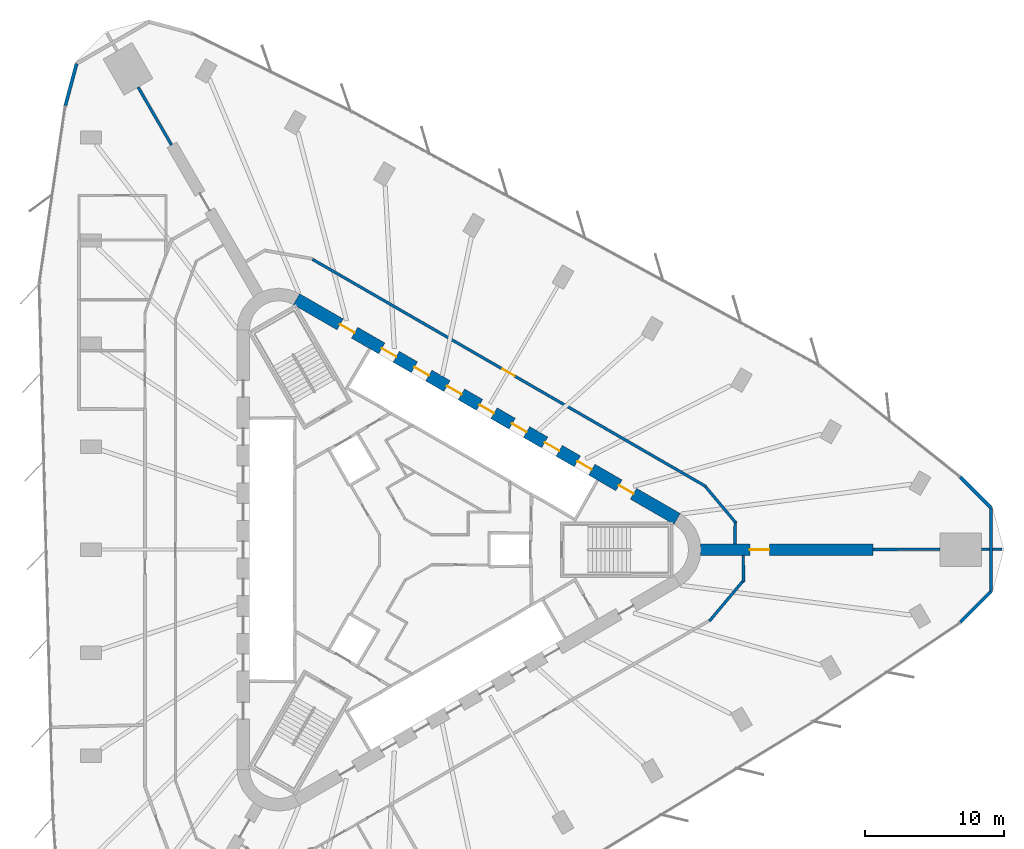
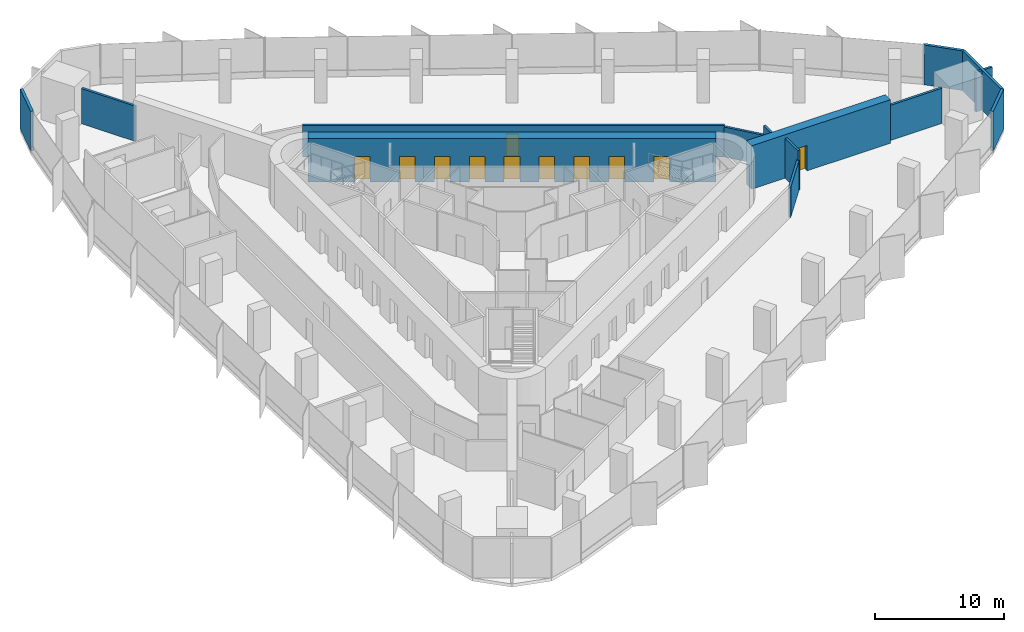
# One storey, part 12 of 14: 15 walls, 11 doors, 11 openings.
"""IFC4 building model written with IfcOpenShell, lengths in metres."""

from ifc_helpers import new_model, si_unit, direction, frame, frame_2d, origin, place, context, subcontext, project, spatial, rectangle, extrude, material, layer, layer_set, type_object, element, fill, save


model = new_model("IFC4")

# Units and contexts
model_context = context("Model", 3, precision=1e-05, world=origin(), true_north=direction((0.0, 1.0)))
body_context = subcontext(model_context, "Body", "Model", "MODEL_VIEW")
ifc_project = project(units=[si_unit("LENGTHUNIT", "METRE"), si_unit("AREAUNIT", "SQUARE_METRE"), si_unit("VOLUMEUNIT", "CUBIC_METRE"), si_unit("PLANEANGLEUNIT", "RADIAN"), si_unit("MASSUNIT", "GRAM", prefix="KILO")], contexts=[model_context])

# Site, building, storey
site_placement = place(None, origin())
site = spatial("IfcSite", under=ifc_project, at=site_placement, CompositionType="ELEMENT")
building_placement = place(site_placement, origin())
building = spatial("IfcBuilding", under=site, at=building_placement, Name="Tanit Gate Tower", CompositionType="ELEMENT")
storey_placement = place(building_placement, frame((0.0, 0.0, 152.10009765625)))
storey = spatial("IfcBuildingStorey", under=building, at=storey_placement, Name="L33", CompositionType="ELEMENT", Elevation=152.10009765625)

# Wall, opening, door
ifc_material_1 = material(Name="Concrete C60/75", Category="concrete")
ifc_layer_1 = layer(ifc_material_1, 0.800048828125)
ifc_layer_set_1 = layer_set([ifc_layer_1], Name="BUTTRESS FIN 800 C60/75")
wall_type_1 = type_object("IfcWallType", Name="BUTTRESS FIN 800 C60/75", PredefinedType="SHEAR", material=ifc_layer_set_1)
wall_1_placement = place(storey_placement, frame((21.14990234375, 0.0, 0.0), z_axis=(0.0, 0.0, 1.0), x_axis=(1.0, 0.0, 0.0)))
wall_1 = element("IfcWall", 1, at=wall_1_placement, inside=storey, type_object=wall_type_1, Name="BUTTRESS FIN", PredefinedType="SHEAR", context=body_context, shape_type="SweptSolid", body=[
    extrude(rectangle(XDim=12.3837890625, YDim=0.800048828125, at=frame_2d((6.19189453125, 0.0))), origin(), (0.0, 0.0, 1.0), 4.099853515625),
])
opening_1_placement = place(wall_1_placement, frame((3.550048828125, 0.0, 0.0)))
opening_1 = element("IfcOpeningElement", 2, at=opening_1_placement, cuts=wall_1, Name="Opening P14-S08-F-E-1", PredefinedType="OPENING", context=body_context, shape_type="SweptSolid", body=[
    extrude(rectangle(XDim=1.39990234375, YDim=2.39990234375, at=frame_2d((0.699951171875, 1.199951171875))), frame((0.0, 0.41015625, 0.0), z_axis=(0.0, -1.0, 0.0), x_axis=(1.0, 0.0, 0.0)), (0.0, 0.0, 1.0), 0.820068359375),
])
ifc_material_2 = material(Name="Timber door leaf", Category="wood")
door_type_1 = type_object("IfcDoorType", Name="INT-DOOR-FIN-PAIR-1400", OperationType="NOTDEFINED", PredefinedType="NOTDEFINED", material=ifc_material_2)
door_1_placement = place(opening_1_placement, origin())
door_1 = element("IfcDoor", 3, at=door_1_placement, inside=storey, type_object=door_type_1, Name="Door P14-S08-F-E-1", OperationType="DOUBLE_DOOR_SINGLE_SWING", OverallHeight=2.39990234375, OverallWidth=1.39990234375, PredefinedType="NOTDEFINED", context=body_context, shape_type="SweptSolid", body=[
    extrude(rectangle(XDim=1.39990234375, YDim=2.39990234375, at=frame_2d((0.699951171875, 1.199951171875))), frame((0.0, 0.02490234375, 0.0), z_axis=(0.0, -1.0, 0.0), x_axis=(1.0, 0.0, 0.0)), (0.0, 0.0, 1.0), 0.050048828125),
])
fill(opening_1, door_1)

# Wall, openings, doors
ifc_material_3 = material(Name="Concrete C60/75", Category="concrete")
ifc_layer_2 = layer(ifc_material_3, 0.89990234375)
ifc_layer_set_2 = layer_set([ifc_layer_2], Name="CORE WALL 900 C60/75")
wall_type_2 = type_object("IfcWallType", Name="CORE WALL 900 C60/75", PredefinedType="SHEAR", material=ifc_layer_set_2)
wall_2_placement = place(storey_placement, frame((19.47509765625, 2.20849609375, 0.0), z_axis=(0.0, 0.0, 1.0), x_axis=(-0.866028369851, 0.499994862586, 0.0)))
wall_2 = element("IfcWall", 4, at=wall_2_placement, inside=storey, type_object=wall_type_2, Name="CORE WALL", PredefinedType="SHEAR", context=body_context, shape_type="SweptSolid", body=[
    extrude(rectangle(XDim=31.523193359375, YDim=0.89990234375, at=frame_2d((15.76171875, 0.0))), origin(), (0.0, 0.0, 1.0), 4.099853515625),
])
opening_2_placement = place(wall_2_placement, frame((7.0615234375, 0.0, 0.0)))
opening_2 = element("IfcOpeningElement", 5, at=opening_2_placement, cuts=wall_2, Name="Opening LDLL8-S08", PredefinedType="OPENING", context=body_context, shape_type="SweptSolid", body=[
    extrude(rectangle(XDim=1.199951171875, YDim=2.39990234375, at=frame_2d((0.60009765625, 1.199951171875))), frame((0.0, 0.4599609375, 0.0), z_axis=(0.0, -1.0, 0.0), x_axis=(1.0, 0.0, 0.0)), (0.0, 0.0, 1.0), 0.919921875),
])
opening_3_placement = place(wall_2_placement, frame((9.76171875, 0.0, 0.0)))
opening_3 = element("IfcOpeningElement", 6, at=opening_3_placement, cuts=wall_2, Name="Opening LDLL9-S08", PredefinedType="OPENING", context=body_context, shape_type="SweptSolid", body=[
    extrude(rectangle(XDim=1.199951171875, YDim=2.39990234375, at=frame_2d((0.60009765625, 1.199951171875))), frame((0.0, 0.4599609375, 0.0), z_axis=(0.0, -1.0, 0.0), x_axis=(1.0, 0.0, 0.0)), (0.0, 0.0, 1.0), 0.919921875),
])
opening_4_placement = place(wall_2_placement, frame((12.461669921875, 0.0, 0.0)))
opening_4 = element("IfcOpeningElement", 7, at=opening_4_placement, cuts=wall_2, Name="Opening LDLL10-S08", PredefinedType="OPENING", context=body_context, shape_type="SweptSolid", body=[
    extrude(rectangle(XDim=1.199951171875, YDim=2.39990234375, at=frame_2d((0.60009765625, 1.199951171875))), frame((0.0, 0.4599609375, 0.0), z_axis=(0.0, -1.0, 0.0), x_axis=(1.0, 0.0, 0.0)), (0.0, 0.0, 1.0), 0.919921875),
])
opening_5_placement = place(wall_2_placement, frame((15.16162109375, 0.0, 0.0)))
opening_5 = element("IfcOpeningElement", 8, at=opening_5_placement, cuts=wall_2, Name="Opening LDSL1-S08", PredefinedType="OPENING", context=body_context, shape_type="SweptSolid", body=[
    extrude(rectangle(XDim=1.199951171875, YDim=2.39990234375, at=frame_2d((0.60009765625, 1.199951171875))), frame((0.0, 0.4599609375, 0.0), z_axis=(0.0, -1.0, 0.0), x_axis=(1.0, 0.0, 0.0)), (0.0, 0.0, 1.0), 0.919921875),
])
opening_6_placement = place(wall_2_placement, frame((17.861572265625, 0.0, 0.0)))
opening_6 = element("IfcOpeningElement", 9, at=opening_6_placement, cuts=wall_2, Name="Opening LDSL2-S08", PredefinedType="OPENING", context=body_context, shape_type="SweptSolid", body=[
    extrude(rectangle(XDim=1.199951171875, YDim=2.39990234375, at=frame_2d((0.60009765625, 1.199951171875))), frame((0.0, 0.4599609375, 0.0), z_axis=(0.0, -1.0, 0.0), x_axis=(1.0, 0.0, 0.0)), (0.0, 0.0, 1.0), 0.919921875),
])
opening_7_placement = place(wall_2_placement, frame((20.5615234375, 0.0, 0.0)))
opening_7 = element("IfcOpeningElement", 10, at=opening_7_placement, cuts=wall_2, Name="Opening LDSL3-S08", PredefinedType="OPENING", context=body_context, shape_type="SweptSolid", body=[
    extrude(rectangle(XDim=1.199951171875, YDim=2.39990234375, at=frame_2d((0.60009765625, 1.199951171875))), frame((0.0, 0.4599609375, 0.0), z_axis=(0.0, -1.0, 0.0), x_axis=(1.0, 0.0, 0.0)), (0.0, 0.0, 1.0), 0.919921875),
])
opening_8_placement = place(wall_2_placement, frame((23.26171875, 0.0, 0.0)))
opening_8 = element("IfcOpeningElement", 11, at=opening_8_placement, cuts=wall_2, Name="Opening LDSL4-S08", PredefinedType="OPENING", context=body_context, shape_type="SweptSolid", body=[
    extrude(rectangle(XDim=1.199951171875, YDim=2.39990234375, at=frame_2d((0.60009765625, 1.199951171875))), frame((0.0, 0.4599609375, 0.0), z_axis=(0.0, -1.0, 0.0), x_axis=(1.0, 0.0, 0.0)), (0.0, 0.0, 1.0), 0.919921875),
])
opening_9_placement = place(wall_2_placement, frame((3.611572265625, 0.0, 0.0)))
opening_9 = element("IfcOpeningElement", 12, at=opening_9_placement, cuts=wall_2, Name="Opening F12-S08-FL1", PredefinedType="OPENING", context=body_context, shape_type="SweptSolid", body=[
    extrude(rectangle(XDim=1.199951171875, YDim=2.39990234375, at=frame_2d((0.60009765625, 1.199951171875))), frame((0.0, 0.4599609375, 0.0), z_axis=(0.0, -1.0, 0.0), x_axis=(1.0, 0.0, 0.0)), (0.0, 0.0, 1.0), 0.919921875),
])
opening_10_placement = place(wall_2_placement, frame((26.711669921875, 0.0, 0.0)))
opening_10 = element("IfcOpeningElement", 13, at=opening_10_placement, cuts=wall_2, Name="Opening F12-S08-S2", PredefinedType="OPENING", context=body_context, shape_type="SweptSolid", body=[
    extrude(rectangle(XDim=1.199951171875, YDim=2.39990234375, at=frame_2d((0.60009765625, 1.199951171875))), frame((0.0, 0.4599609375, 0.0), z_axis=(0.0, -1.0, 0.0), x_axis=(1.0, 0.0, 0.0)), (0.0, 0.0, 1.0), 0.919921875),
])
ifc_material_4 = material(Name="Fire-rated steel door leaf", Category="steel")
door_type_2 = type_object("IfcDoorType", Name="INT-DOOR-FIRE-LOBBY-1200", OperationType="NOTDEFINED", PredefinedType="USERDEFINED", material=ifc_material_4)
door_2_placement = place(opening_9_placement, origin())
door_2 = element("IfcDoor", 14, at=door_2_placement, inside=storey, type_object=door_type_2, Name="Door F12-S08-FL1", ObjectType="FIRE DOOR", OperationType="SINGLE_SWING_LEFT", OverallHeight=2.39990234375, OverallWidth=1.199951171875, PredefinedType="USERDEFINED", context=body_context, shape_type="SweptSolid", body=[
    extrude(rectangle(XDim=1.199951171875, YDim=2.39990234375, at=frame_2d((0.60009765625, 1.199951171875))), frame((0.0, 0.02490234375, 0.0), z_axis=(0.0, -1.0, 0.0), x_axis=(1.0, 0.0, 0.0)), (0.0, 0.0, 1.0), 0.050048828125),
])
fill(opening_9, door_2)
door_3_placement = place(opening_10_placement, origin())
door_3 = element("IfcDoor", 15, at=door_3_placement, inside=storey, type_object=door_type_2, Name="Door F12-S08-S2", ObjectType="FIRE DOOR", OperationType="SINGLE_SWING_RIGHT", OverallHeight=2.39990234375, OverallWidth=1.199951171875, PredefinedType="USERDEFINED", context=body_context, shape_type="SweptSolid", body=[
    extrude(rectangle(XDim=1.199951171875, YDim=2.39990234375, at=frame_2d((0.60009765625, 1.199951171875))), frame((0.0, 0.02490234375, 0.0), z_axis=(0.0, -1.0, 0.0), x_axis=(1.0, 0.0, 0.0)), (0.0, 0.0, 1.0), 0.050048828125),
])
fill(opening_10, door_3)
ifc_material_5 = material(Name="Stainless steel sliding door leaf", Category="steel")
door_type_3 = type_object("IfcDoorType", Name="INT-DOOR-LANDING-1200", OperationType="NOTDEFINED", PredefinedType="USERDEFINED", material=ifc_material_5)
door_4_placement = place(opening_2_placement, origin())
door_4 = element("IfcDoor", 16, at=door_4_placement, inside=storey, type_object=door_type_3, Name="Door LDLL8-S08", ObjectType="LANDING DOOR", OperationType="SLIDING_TO_LEFT", OverallHeight=2.39990234375, OverallWidth=1.199951171875, PredefinedType="USERDEFINED", context=body_context, shape_type="SweptSolid", body=[
    extrude(rectangle(XDim=1.199951171875, YDim=2.39990234375, at=frame_2d((0.60009765625, 1.199951171875))), frame((0.0, 0.02490234375, 0.0), z_axis=(0.0, -1.0, 0.0), x_axis=(1.0, 0.0, 0.0)), (0.0, 0.0, 1.0), 0.050048828125),
])
fill(opening_2, door_4)
door_5_placement = place(opening_3_placement, origin())
door_5 = element("IfcDoor", 17, at=door_5_placement, inside=storey, type_object=door_type_3, Name="Door LDLL9-S08", ObjectType="LANDING DOOR", OperationType="SLIDING_TO_LEFT", OverallHeight=2.39990234375, OverallWidth=1.199951171875, PredefinedType="USERDEFINED", context=body_context, shape_type="SweptSolid", body=[
    extrude(rectangle(XDim=1.199951171875, YDim=2.39990234375, at=frame_2d((0.60009765625, 1.199951171875))), frame((0.0, 0.02490234375, 0.0), z_axis=(0.0, -1.0, 0.0), x_axis=(1.0, 0.0, 0.0)), (0.0, 0.0, 1.0), 0.050048828125),
])
fill(opening_3, door_5)
door_6_placement = place(opening_4_placement, origin())
door_6 = element("IfcDoor", 18, at=door_6_placement, inside=storey, type_object=door_type_3, Name="Door LDLL10-S08", ObjectType="LANDING DOOR", OperationType="SLIDING_TO_LEFT", OverallHeight=2.39990234375, OverallWidth=1.199951171875, PredefinedType="USERDEFINED", context=body_context, shape_type="SweptSolid", body=[
    extrude(rectangle(XDim=1.199951171875, YDim=2.39990234375, at=frame_2d((0.60009765625, 1.199951171875))), frame((0.0, 0.02490234375, 0.0), z_axis=(0.0, -1.0, 0.0), x_axis=(1.0, 0.0, 0.0)), (0.0, 0.0, 1.0), 0.050048828125),
])
fill(opening_4, door_6)
door_7_placement = place(opening_5_placement, origin())
door_7 = element("IfcDoor", 19, at=door_7_placement, inside=storey, type_object=door_type_3, Name="Door LDSL1-S08", ObjectType="LANDING DOOR", OperationType="SLIDING_TO_LEFT", OverallHeight=2.39990234375, OverallWidth=1.199951171875, PredefinedType="USERDEFINED", context=body_context, shape_type="SweptSolid", body=[
    extrude(rectangle(XDim=1.199951171875, YDim=2.39990234375, at=frame_2d((0.60009765625, 1.199951171875))), frame((0.0, 0.02490234375, 0.0), z_axis=(0.0, -1.0, 0.0), x_axis=(1.0, 0.0, 0.0)), (0.0, 0.0, 1.0), 0.050048828125),
])
fill(opening_5, door_7)
door_8_placement = place(opening_6_placement, origin())
door_8 = element("IfcDoor", 20, at=door_8_placement, inside=storey, type_object=door_type_3, Name="Door LDSL2-S08", ObjectType="LANDING DOOR", OperationType="SLIDING_TO_LEFT", OverallHeight=2.39990234375, OverallWidth=1.199951171875, PredefinedType="USERDEFINED", context=body_context, shape_type="SweptSolid", body=[
    extrude(rectangle(XDim=1.199951171875, YDim=2.39990234375, at=frame_2d((0.60009765625, 1.199951171875))), frame((0.0, 0.02490234375, 0.0), z_axis=(0.0, -1.0, 0.0), x_axis=(1.0, 0.0, 0.0)), (0.0, 0.0, 1.0), 0.050048828125),
])
fill(opening_6, door_8)
door_9_placement = place(opening_7_placement, origin())
door_9 = element("IfcDoor", 21, at=door_9_placement, inside=storey, type_object=door_type_3, Name="Door LDSL3-S08", ObjectType="LANDING DOOR", OperationType="SLIDING_TO_LEFT", OverallHeight=2.39990234375, OverallWidth=1.199951171875, PredefinedType="USERDEFINED", context=body_context, shape_type="SweptSolid", body=[
    extrude(rectangle(XDim=1.199951171875, YDim=2.39990234375, at=frame_2d((0.60009765625, 1.199951171875))), frame((0.0, 0.02490234375, 0.0), z_axis=(0.0, -1.0, 0.0), x_axis=(1.0, 0.0, 0.0)), (0.0, 0.0, 1.0), 0.050048828125),
])
fill(opening_7, door_9)
door_10_placement = place(opening_8_placement, origin())
door_10 = element("IfcDoor", 22, at=door_10_placement, inside=storey, type_object=door_type_3, Name="Door LDSL4-S08", ObjectType="LANDING DOOR", OperationType="SLIDING_TO_LEFT", OverallHeight=2.39990234375, OverallWidth=1.199951171875, PredefinedType="USERDEFINED", context=body_context, shape_type="SweptSolid", body=[
    extrude(rectangle(XDim=1.199951171875, YDim=2.39990234375, at=frame_2d((0.60009765625, 1.199951171875))), frame((0.0, 0.02490234375, 0.0), z_axis=(0.0, -1.0, 0.0), x_axis=(1.0, 0.0, 0.0)), (0.0, 0.0, 1.0), 0.050048828125),
])
fill(opening_8, door_10)

# Walls
ifc_material_6 = material(Name="Concrete C30/37 with bronze anodised aluminium cladding", Category="concrete")
ifc_layer_3 = layer(ifc_material_6, 0.239990234375)
ifc_layer_set_3 = layer_set([ifc_layer_3], Name="Facade wall bronze clad 240")
wall_type_3 = type_object("IfcWallType", Name="Facade wall bronze clad 240", PredefinedType="SOLIDWALL", material=ifc_layer_set_3)
wall_3_placement = place(storey_placement, frame((-23.60302734375, 34.87109375, 0.0), z_axis=(0.0, 0.0, 1.0), x_axis=(-0.258820386593, -0.965925466837, 0.0)))
element("IfcWall", 23, at=wall_3_placement, inside=storey, type_object=wall_type_3, Name="Bronze-clad facade wall L33 NW.arc3", PredefinedType="SOLIDWALL", context=body_context, shape_type="SweptSolid", body=[
    extrude(rectangle(XDim=3.136474609375, YDim=0.239990234375, at=frame_2d((1.568359375, 0.0))), origin(), (0.0, 0.0, 1.0), 3.75),
])
wall_4_placement = place(storey_placement, frame((39.7861328125, -5.2197265625, 0.0), z_axis=(0.0, 0.0, 1.0), x_axis=(0.707106781187, 0.707106781187, 0.0)))
element("IfcWall", 24, at=wall_4_placement, inside=storey, type_object=wall_type_3, Name="Bronze-clad facade wall L33 E.arc1", PredefinedType="SOLIDWALL", context=body_context, shape_type="SweptSolid", body=[
    extrude(rectangle(XDim=3.1318359375, YDim=0.239990234375, at=frame_2d((1.56591796875, 0.0))), origin(), (0.0, 0.0, 1.0), 3.75),
])
wall_5_placement = place(storey_placement, frame((42.000732421875, -3.005126953125, 0.0), z_axis=(0.0, 0.0, 1.0), x_axis=(0.0, 1.0, 0.0)))
element("IfcWall", 25, at=wall_5_placement, inside=storey, type_object=wall_type_3, Name="Bronze-clad facade wall L33 E.arc2", PredefinedType="SOLIDWALL", context=body_context, shape_type="SweptSolid", body=[
    extrude(rectangle(XDim=6.01025390625, YDim=0.239990234375, at=frame_2d((3.005126953125, 0.0))), origin(), (0.0, 0.0, 1.0), 3.75),
])
wall_6_placement = place(storey_placement, frame((42.000732421875, 3.005126953125, 0.0), z_axis=(0.0, 0.0, 1.0), x_axis=(-0.707067861805, 0.707145698426, 0.0)))
element("IfcWall", 26, at=wall_6_placement, inside=storey, type_object=wall_type_3, Name="Bronze-clad facade wall L33 E.arc3", PredefinedType="SOLIDWALL", context=body_context, shape_type="SweptSolid", body=[
    extrude(rectangle(XDim=3.136474609375, YDim=0.239990234375, at=frame_2d((1.568359375, 0.0))), origin(), (0.0, 0.0, 1.0), 3.75),
])

# Wall, opening, door
ifc_material_7 = material(Name="Fire-rated gypsum board partition")
ifc_layer_4 = layer(ifc_material_7, 0.199951171875)
ifc_layer_set_4 = layer_set([ifc_layer_4], Name="INT-WALL-COMPARTMENT")
wall_type_4 = type_object("IfcWallType", Name="INT-WALL-COMPARTMENT", PredefinedType="PARTITIONING", material=ifc_layer_set_4)
wall_7_placement = place(storey_placement, frame((21.55224609375, 4.53076171875, 0.0), z_axis=(0.0, 0.0, 1.0), x_axis=(-0.866023703603, 0.500002944789, 0.0)))
wall_7 = element("IfcWall", 27, at=wall_7_placement, inside=storey, type_object=wall_type_4, Name="Wall Compartment W103", PredefinedType="PARTITIONING", context=body_context, shape_type="SweptSolid", body=[
    extrude(rectangle(XDim=32.598876953125, YDim=0.199951171875, at=frame_2d((16.29931640625, 0.0))), origin(), (0.0, 0.0, 1.0), 2.929931640625),
])
opening_11_placement = place(wall_7_placement, frame((15.849609375, 0.0, 0.0)))
opening_11 = element("IfcOpeningElement", 28, at=opening_11_placement, cuts=wall_7, Name="Opening F10-S08-27", PredefinedType="OPENING", context=body_context, shape_type="SweptSolid", body=[
    extrude(rectangle(XDim=1.0, YDim=2.10009765625, at=frame_2d((0.5, 1.050048828125))), frame((0.0, 0.10986328125, 0.0), z_axis=(0.0, -1.0, 0.0), x_axis=(1.0, 0.0, 0.0)), (0.0, 0.0, 1.0), 0.219970703125),
])
ifc_material_8 = material(Name="Fire-rated steel door leaf", Category="steel")
door_type_4 = type_object("IfcDoorType", Name="INT-DOOR-FIRE-1000", OperationType="NOTDEFINED", PredefinedType="USERDEFINED", material=ifc_material_8)
door_11_placement = place(opening_11_placement, origin())
door_11 = element("IfcDoor", 29, at=door_11_placement, inside=storey, type_object=door_type_4, Name="Door F10-S08-27", ObjectType="FIRE DOOR", OperationType="SINGLE_SWING_LEFT", OverallHeight=2.10009765625, OverallWidth=1.0, PredefinedType="USERDEFINED", context=body_context, shape_type="SweptSolid", body=[
    extrude(rectangle(XDim=1.0, YDim=2.10009765625, at=frame_2d((0.5, 1.050048828125))), frame((0.0, 0.02490234375, 0.0), z_axis=(0.0, -1.0, 0.0), x_axis=(1.0, 0.0, 0.0)), (0.0, 0.0, 1.0), 0.050048828125),
])
fill(opening_11, door_11)

# Walls
wall_8_placement = place(storey_placement, frame((23.720458984375, 1.893798828125, 0.0), z_axis=(0.0, 0.0, 1.0), x_axis=(-0.642802187783, 0.766032210407, 0.0)))
element("IfcWall", 30, at=wall_8_placement, inside=storey, type_object=wall_type_4, Name="Wall Compartment W104", PredefinedType="PARTITIONING", context=body_context, shape_type="SweptSolid", body=[
    extrude(rectangle(XDim=3.40771484375, YDim=0.199951171875, at=frame_2d((1.703857421875, 0.0))), origin(), (0.0, 0.0, 1.0), 2.829833984375),
])
wall_9_placement = place(storey_placement, frame((23.622314453125, 0.39990234375, 0.0), z_axis=(0.0, 0.0, 1.0), x_axis=(0.015125657972, 0.999885600692, 0.0)))
element("IfcWall", 31, at=wall_9_placement, inside=storey, type_object=wall_type_4, Name="Wall Compartment W105", PredefinedType="PARTITIONING", context=body_context, shape_type="SweptSolid", body=[
    extrude(rectangle(XDim=1.533447265625, YDim=0.199951171875, at=frame_2d((0.7666015625, 0.0))), origin(), (0.0, 0.0, 1.0), 3.75),
])
wall_10_placement = place(storey_placement, frame((24.247802734375, -2.316650390625, 0.0), z_axis=(0.0, 0.0, 1.0), x_axis=(-0.013627571522, 0.999907140336, 0.0)))
element("IfcWall", 32, at=wall_10_placement, inside=storey, type_object=wall_type_4, Name="Wall Compartment W106", PredefinedType="PARTITIONING", context=body_context, shape_type="SweptSolid", body=[
    extrude(rectangle(XDim=1.9169921875, YDim=0.199951171875, at=frame_2d((0.95849609375, 0.0))), origin(), (0.0, 0.0, 1.0), 3.75),
])
wall_11_placement = place(storey_placement, frame((21.79296875, -5.124267578125, 0.0), z_axis=(0.0, 0.0, 1.0), x_axis=(0.642787733653, 0.766044339098, 0.0)))
element("IfcWall", 33, at=wall_11_placement, inside=storey, type_object=wall_type_4, Name="Wall Compartment W107", PredefinedType="PARTITIONING", context=body_context, shape_type="SweptSolid", body=[
    extrude(rectangle(XDim=3.767333984375, YDim=0.199951171875, at=frame_2d((1.8837890625, 0.0))), origin(), (0.0, 0.0, 1.0), 2.829833984375),
])
wall_12_placement = place(storey_placement, frame((-19.191162109375, 33.179931640625, 0.0), z_axis=(0.0, 0.0, 1.0), x_axis=(0.500036743394, -0.866004188936, 0.0)))
element("IfcWall", 34, at=wall_12_placement, inside=storey, type_object=wall_type_4, Name="Wall Compartment W119", PredefinedType="PARTITIONING", context=body_context, shape_type="SweptSolid", body=[
    extrude(rectangle(XDim=4.796630859375, YDim=0.199951171875, at=frame_2d((2.3984375, 0.0))), origin(), (0.0, 0.0, 1.0), 3.31982421875),
])
wall_13_placement = place(storey_placement, frame((33.53369140625, 0.019775390625, 0.0), z_axis=(0.0, 0.0, 1.0), x_axis=(0.999997714828, 0.002137834878, 0.0)))
element("IfcWall", 35, at=wall_13_placement, inside=storey, type_object=wall_type_4, Name="Wall Compartment W128", PredefinedType="PARTITIONING", context=body_context, shape_type="SweptSolid", body=[
    extrude(rectangle(XDim=4.79638671875, YDim=0.199951171875, at=frame_2d((2.398193359375, 0.0))), origin(), (0.0, 0.0, 1.0), 3.31982421875),
])
wall_14_placement = place(storey_placement, frame((41.330078125, 0.030029296875, 0.0), z_axis=(0.0, 0.0, 1.0), x_axis=(1.0, 0.0, 0.0)))
element("IfcWall", 36, at=wall_14_placement, inside=storey, type_object=wall_type_4, Name="Wall Compartment W129", PredefinedType="PARTITIONING", context=body_context, shape_type="SweptSolid", body=[
    extrude(rectangle(XDim=0.550537109375, YDim=0.199951171875, at=frame_2d((0.275390625, 0.0))), origin(), (0.0, 0.0, 1.0), 3.75),
])
wall_15_placement = place(storey_placement, frame((42.12060546875, 0.030029296875, 0.0), z_axis=(0.0, 0.0, 1.0), x_axis=(1.0, 0.0, 0.0)))
element("IfcWall", 37, at=wall_15_placement, inside=storey, type_object=wall_type_4, Name="Wall Compartment W129x1", PredefinedType="PARTITIONING", context=body_context, shape_type="SweptSolid", body=[
    extrude(rectangle(XDim=0.67724609375, YDim=0.199951171875, at=frame_2d((0.338623046875, 0.0))), origin(), (0.0, 0.0, 1.0), 3.75),
])

save(model, "model.ifc")
